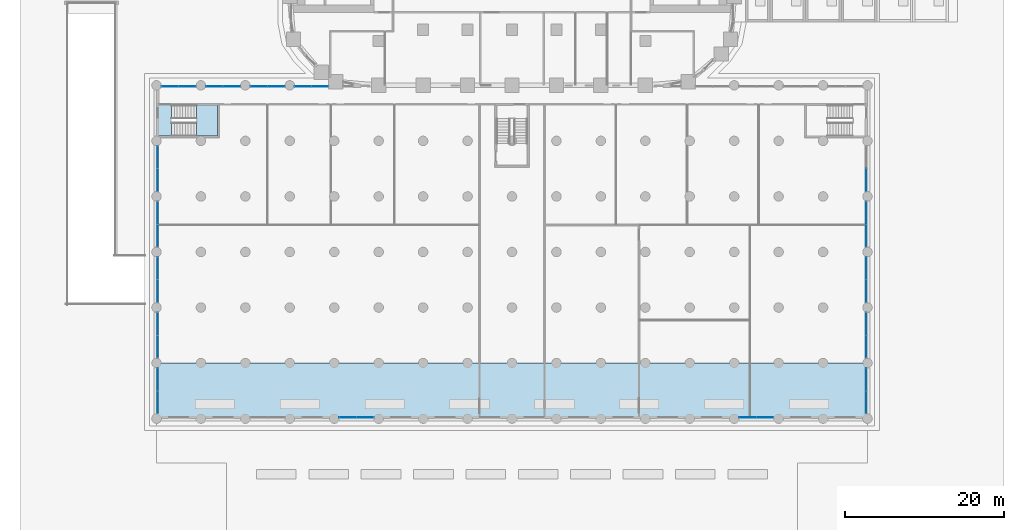
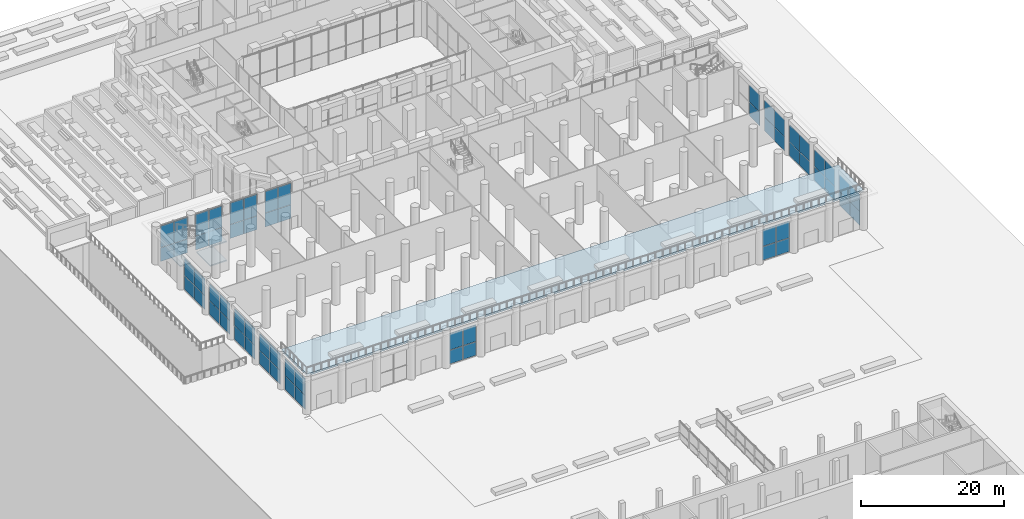
# One storey, part 22 of 51: 62 plates, 4 slabs, 17 elements without a shape of their own.
"""IFC4 building model written with IfcOpenShell, lengths in metres."""

import ifcopenshell
import ifcopenshell.guid

model = None  # the IFC model being written
_history = None  # IfcOwnerHistory: only IFC2X3 demands one
_inside = {}  # id of a spatial element -> (the spatial element, [elements in it])
_under = {}  # id of a project, library or spatial element -> (it, [spatial elements below it])
_declared = {}  # id of a project -> (the project, [libraries it declares])
_typed = {}  # id of a type object -> (the type object, [elements of that type])
_made_of = {}  # id of a material, layer set ... -> (it, [elements and type objects made of it])


def new_model(schema):
    """Start an empty IFC model of exactly this schema.

    Asked for "IFC4X3", IfcOpenShell would pick the latest addendum, in which some entities
    have other attributes; the version numbers below select the first issue.
    IFC2X3 requires an IfcOwnerHistory on every rooted entity: one is made here for all.
    """
    global model, _history
    if schema == "IFC4X3":
        model = ifcopenshell.file(schema_version=(4, 3, 0, 0))
    else:
        model = ifcopenshell.file(schema=schema)
    _inside.clear()
    _under.clear()
    _declared.clear()
    _typed.clear()
    _made_of.clear()
    _history = None
    if model.schema == "IFC2X3":
        org = make("IfcOrganization", Name="unknown")
        user = make(
            "IfcPersonAndOrganization",
            ThePerson=make("IfcPerson", FamilyName="unknown"),
            TheOrganization=org,
        )
        app = make(
            "IfcApplication",
            ApplicationDeveloper=org,
            Version="unknown",
            ApplicationFullName="unknown",
            ApplicationIdentifier="unknown",
        )
        _history = make(
            "IfcOwnerHistory",
            OwningUser=user,
            OwningApplication=app,
            ChangeAction="ADDED",
            CreationDate=0,
        )
    return model


def make(cls, **values):
    """One entity of the class cls with the attributes given. An attribute that is None is left unset."""
    return model.create_entity(
        cls, **{name: value for name, value in values.items() if value is not None}
    )


def rooted(cls, **values):
    """An entity with a GlobalId (a new one), such as an element, a storey or a relation."""
    return make(cls, GlobalId=ifcopenshell.guid.new(), OwnerHistory=_history, **values)


def si_unit(unit_type, name, prefix=None):
    """IfcSIUnit, for example si_unit("LENGTHUNIT", "METRE", prefix="MILLI")."""
    return make("IfcSIUnit", UnitType=unit_type, Prefix=prefix, Name=name)


def assignment(units):
    """IfcUnitAssignment: the units of a project."""
    return None if units is None else make("IfcUnitAssignment", Units=units)


def point(xyz):
    """IfcCartesianPoint."""
    return None if xyz is None else make("IfcCartesianPoint", Coordinates=xyz)


def direction(xyz):
    """IfcDirection."""
    return None if xyz is None else make("IfcDirection", DirectionRatios=xyz)


def frame(location, z_axis=None, x_axis=None):
    """IfcAxis2Placement3D, a coordinate frame: its origin and axes. An axis left out is left unset."""
    return make(
        "IfcAxis2Placement3D",
        Location=point(location),
        Axis=direction(z_axis),
        RefDirection=direction(x_axis),
    )


def frame_2d(location, x_axis=None):
    """IfcAxis2Placement2D, a coordinate frame in the plane: its origin and x axis."""
    return make(
        "IfcAxis2Placement2D", Location=point(location), RefDirection=direction(x_axis)
    )


def origin():
    """The frame at (0, 0, 0) with its axes left unset."""
    return frame((0.0, 0.0, 0.0))


def origin_2d():
    """The frame at (0, 0) in the plane with its x axis left unset."""
    return frame_2d((0.0, 0.0))


def place(relative_to, where):
    """IfcLocalPlacement: puts the frame where relative to a parent placement (None: the world)."""
    return make(
        "IfcLocalPlacement", PlacementRelTo=relative_to, RelativePlacement=where
    )


def context(
    kind, dimensions, precision=None, world=None, true_north=None, identifier=None
):
    """IfcGeometricRepresentationContext, for example the 3D "Model" context."""
    return make(
        "IfcGeometricRepresentationContext",
        ContextIdentifier=identifier,
        ContextType=kind,
        CoordinateSpaceDimension=dimensions,
        Precision=precision,
        WorldCoordinateSystem=world,
        TrueNorth=true_north,
    )


def subcontext(parent, identifier, kind, view, scale=None):
    """IfcGeometricRepresentationSubContext, for example "Body" below "Model"."""
    return make(
        "IfcGeometricRepresentationSubContext",
        ContextIdentifier=identifier,
        ContextType=kind,
        ParentContext=parent,
        TargetScale=scale,
        TargetView=view,
    )


def project(units=None, contexts=None):
    """IfcProject with its units and contexts."""
    return rooted(
        "IfcProject",
        Name="project",
        RepresentationContexts=contexts,
        UnitsInContext=assignment(units),
    )


def spatial(cls, under=None, at=None, **own):
    """A site, building, storey or space (cls), placed at a placement, below another one or the project."""
    s = rooted(cls, ObjectPlacement=at, **own)
    if under is not None:
        _under.setdefault(under.id(), (under, []))[1].append(s)
    return s


def polyline(points):
    """IfcPolyline through the points."""
    return make("IfcPolyline", Points=[point(p) for p in points])


def profile(cls, at=None, kind="AREA", **sizes):
    """A parametric profile (cls). Its sizes go by their IFC names, for example OverallWidth=200.0."""
    return make(cls, ProfileType=kind, Position=at, **sizes)


def rectangle(**sizes):
    """IfcRectangleProfileDef."""
    return profile("IfcRectangleProfileDef", **sizes)


def outline(outer, holes=None, kind="AREA"):
    """IfcArbitraryClosedProfileDef: a profile drawn as a closed curve; with holes, ...WithVoids."""
    if holes is None:
        return make("IfcArbitraryClosedProfileDef", ProfileType=kind, OuterCurve=outer)
    return make(
        "IfcArbitraryProfileDefWithVoids",
        ProfileType=kind,
        OuterCurve=outer,
        InnerCurves=holes,
    )


def extrude(swept, where, along, depth):
    """IfcExtrudedAreaSolid: the profile swept, set in the frame where, extruded along a direction by depth."""
    return make(
        "IfcExtrudedAreaSolid",
        SweptArea=swept,
        Position=where,
        ExtrudedDirection=direction(along),
        Depth=depth,
    )


def shape(context_of_items, identifier, shape_type, items):
    """IfcShapeRepresentation: the items that make up one representation, for example the "Body"."""
    return make(
        "IfcShapeRepresentation",
        ContextOfItems=context_of_items,
        RepresentationIdentifier=identifier,
        RepresentationType=shape_type,
        Items=items,
    )


def material(Name=None, Category=None):
    """IfcMaterial."""
    return make("IfcMaterial", Name=Name, Category=Category)


def layer(
    of_material, thickness, ventilated=None, Name=None, Category=None, Priority=None
):
    """IfcMaterialLayer: one layer of a wall or slab, of a material (None: an air gap)."""
    return make(
        "IfcMaterialLayer",
        Material=of_material,
        LayerThickness=thickness,
        IsVentilated=ventilated,
        Name=Name,
        Category=Category,
        Priority=Priority,
    )


def layer_set(layers, Name=None):
    """IfcMaterialLayerSet."""
    return make("IfcMaterialLayerSet", MaterialLayers=layers, LayerSetName=Name)


def made_of(thing, what):
    """Note that an element or type object is made of a material, layer set ...; save() writes the relation."""
    if what is not None:
        _made_of.setdefault(what.id(), (what, []))[1].append(thing)
    return thing


def type_object(cls, material=None, **own):
    """A type object (cls), such as IfcWallType, which elements share."""
    return made_of(rooted(cls, **own), material)


def element(
    cls,
    number,
    at=None,
    inside=None,
    cuts=None,
    type_object=None,
    material=None,
    context=None,
    identifier="Body",
    shape_type=None,
    held_by="IfcProductDefinitionShape",
    body=None,
    shapes=None,
    **own,
):
    """One element of the class cls, such as IfcWall. Its Tag is "e" and its number.

    at: its placement. inside: the storey or other place that contains it. cuts: it is an
    opening in that element (IfcRelVoidsElement). A single representation is given by context,
    identifier, shape_type and body (its items); several are given by shapes. held_by: the class
    of the entity that holds the representations. save() writes the other relations.
    """
    e = rooted(cls, Tag="e%d" % number, ObjectPlacement=at, **own)
    if body is not None:
        shapes = [shape(context, identifier, shape_type, body)]
    if shapes is not None:
        e.Representation = make(held_by, Representations=shapes)
    if inside is not None:
        _inside.setdefault(inside.id(), (inside, []))[1].append(e)
    if cuts is not None:
        rooted(
            "IfcRelVoidsElement", RelatingBuildingElement=cuts, RelatedOpeningElement=e
        )
    if type_object is not None:
        _typed.setdefault(type_object.id(), (type_object, []))[1].append(e)
    return made_of(e, material)


def aggregate(whole, parts):
    """IfcRelAggregates: a whole, such as a stair, and the parts it consists of."""
    return rooted("IfcRelAggregates", RelatingObject=whole, RelatedObjects=parts)


def save(model, path):
    """Write the relations noted so far, then the file.

    IfcRelAggregates (storeys below a building ...), IfcRelContainedInSpatialStructure (elements
    in a storey), IfcRelDefinesByType, IfcRelAssociatesMaterial and IfcRelDeclares: one each for
    every whole, place, type object, material and project.
    """
    for whole, parts in _under.values():
        aggregate(whole, parts)
    for where, things in _inside.values():
        rooted(
            "IfcRelContainedInSpatialStructure",
            RelatedElements=things,
            RelatingStructure=where,
        )
    for kind, things in _typed.values():
        rooted("IfcRelDefinesByType", RelatedObjects=things, RelatingType=kind)
    for what, things in _made_of.values():
        rooted("IfcRelAssociatesMaterial", RelatedObjects=things, RelatingMaterial=what)
    for by, libraries in _declared.values():
        rooted("IfcRelDeclares", RelatingContext=by, RelatedDefinitions=libraries)
    model.write(path)


model = new_model("IFC4")

# Units and contexts
model_context = context("Model", 3, precision=1e-05, world=origin(), true_north=direction((0.0, 1.0)))
body_context = subcontext(model_context, "Body", "Model", "MODEL_VIEW")
ifc_project = project(units=[si_unit("LENGTHUNIT", "METRE"), si_unit("AREAUNIT", "SQUARE_METRE"), si_unit("VOLUMEUNIT", "CUBIC_METRE"), si_unit("PLANEANGLEUNIT", "RADIAN"), si_unit("MASSUNIT", "GRAM", prefix="KILO")], contexts=[model_context])

# Site, building, storey
site_placement = place(None, origin())
site = spatial("IfcSite", under=ifc_project, at=site_placement, CompositionType="ELEMENT")
building_placement = place(site_placement, origin())
building = spatial("IfcBuilding", under=site, at=building_placement, Name="Kiln Ring Residences", CompositionType="ELEMENT")
storey_placement = place(building_placement, origin())
storey = spatial("IfcBuildingStorey", under=building, at=storey_placement, Name="L00", CompositionType="ELEMENT", Elevation=0.0)

# Curtain wall, plates
ifc_material_1 = material(Name="Aluminium and glass", Category="aluminium")
ifc_layer_1 = layer(ifc_material_1, 0.179931640625)
ifc_layer_set_1 = layer_set([ifc_layer_1], Name="CW2 CURTAIN WALL")
curtain_wall_type = type_object("IfcCurtainWallType", Name="CW2 CURTAIN WALL", PredefinedType="NOTDEFINED", material=ifc_layer_set_1)
placement = place(storey_placement, origin())
curtain_wall_1 = element("IfcCurtainWall", 1, at=placement, inside=storey, type_object=curtain_wall_type, Name="Curtain wall CW2 L00", PredefinedType="NOTDEFINED")
ifc_material_2 = material(Name="Glass, clear toughened", Category="glass")
ifc_layer_2 = layer(ifc_material_2, 0.02392578125)
ifc_layer_set_2 = layer_set([ifc_layer_2], Name="CW2 PANEL 24")
plate_type = type_object("IfcPlateType", Name="CW2 PANEL 24", PredefinedType="CURTAIN_PANEL", material=ifc_layer_set_2)
plate_1_placement = place(storey_placement, frame((44.64990234375, -62.33740234375, 0.0498046875), z_axis=(0.0, 0.0, 1.0), x_axis=(0.0, 1.0, 0.0)))
plate_1 = element("IfcPlate", 2, at=plate_1_placement, type_object=plate_type, Name="CW2 panel 1.1", PredefinedType="CURTAIN_PANEL", context=body_context, shape_type="SweptSolid", body=[
    extrude(rectangle(XDim=2.824951171875, YDim=0.02392578125, at=origin_2d()), origin(), (0.0, 0.0, 1.0), 2.324951171875),
])
plate_2_placement = place(storey_placement, frame((44.64990234375, -62.33740234375, 2.425048828125), z_axis=(0.0, 0.0, 1.0), x_axis=(0.0, 1.0, 0.0)))
plate_2 = element("IfcPlate", 3, at=plate_2_placement, type_object=plate_type, Name="CW2 panel 1.2", PredefinedType="CURTAIN_PANEL", context=body_context, shape_type="SweptSolid", body=[
    extrude(rectangle(XDim=2.824951171875, YDim=0.02392578125, at=origin_2d()), origin(), (0.0, 0.0, 1.0), 2.875),
])
plate_3_placement = place(storey_placement, frame((44.64990234375, -59.46240234375, 0.0498046875), z_axis=(0.0, 0.0, 1.0), x_axis=(0.0, 1.0, 0.0)))
plate_3 = element("IfcPlate", 4, at=plate_3_placement, type_object=plate_type, Name="CW2 panel 2.1", PredefinedType="CURTAIN_PANEL", context=body_context, shape_type="SweptSolid", body=[
    extrude(rectangle(XDim=2.824951171875, YDim=0.02392578125, at=origin_2d()), origin(), (0.0, 0.0, 1.0), 2.324951171875),
])
plate_4_placement = place(storey_placement, frame((44.64990234375, -59.46240234375, 2.425048828125), z_axis=(0.0, 0.0, 1.0), x_axis=(0.0, 1.0, 0.0)))
plate_4 = element("IfcPlate", 5, at=plate_4_placement, type_object=plate_type, Name="CW2 panel 2.2", PredefinedType="CURTAIN_PANEL", context=body_context, shape_type="SweptSolid", body=[
    extrude(rectangle(XDim=2.824951171875, YDim=0.02392578125, at=origin_2d()), origin(), (0.0, 0.0, 1.0), 2.875),
])
aggregate(curtain_wall_1, [plate_1, plate_2, plate_3, plate_4])

curtain_wall_2 = element("IfcCurtainWall", 6, at=placement, inside=storey, type_object=curtain_wall_type, Name="Curtain wall CW2 L00", PredefinedType="NOTDEFINED")
plate_5_placement = place(storey_placement, frame((44.64990234375, -55.33740234375, 0.0498046875), z_axis=(0.0, 0.0, 1.0), x_axis=(0.0, 1.0, 0.0)))
plate_5 = element("IfcPlate", 7, at=plate_5_placement, type_object=plate_type, Name="CW2 panel 1.1", PredefinedType="CURTAIN_PANEL", context=body_context, shape_type="SweptSolid", body=[
    extrude(rectangle(XDim=2.824951171875, YDim=0.02392578125, at=origin_2d()), origin(), (0.0, 0.0, 1.0), 2.324951171875),
])
plate_6_placement = place(storey_placement, frame((44.64990234375, -55.33740234375, 2.425048828125), z_axis=(0.0, 0.0, 1.0), x_axis=(0.0, 1.0, 0.0)))
plate_6 = element("IfcPlate", 8, at=plate_6_placement, type_object=plate_type, Name="CW2 panel 1.2", PredefinedType="CURTAIN_PANEL", context=body_context, shape_type="SweptSolid", body=[
    extrude(rectangle(XDim=2.824951171875, YDim=0.02392578125, at=origin_2d()), origin(), (0.0, 0.0, 1.0), 2.875),
])
plate_7_placement = place(storey_placement, frame((44.64990234375, -52.46240234375, 0.0498046875), z_axis=(0.0, 0.0, 1.0), x_axis=(0.0, 1.0, 0.0)))
plate_7 = element("IfcPlate", 9, at=plate_7_placement, type_object=plate_type, Name="CW2 panel 2.1", PredefinedType="CURTAIN_PANEL", context=body_context, shape_type="SweptSolid", body=[
    extrude(rectangle(XDim=2.824951171875, YDim=0.02392578125, at=origin_2d()), origin(), (0.0, 0.0, 1.0), 2.324951171875),
])
plate_8_placement = place(storey_placement, frame((44.64990234375, -52.46240234375, 2.425048828125), z_axis=(0.0, 0.0, 1.0), x_axis=(0.0, 1.0, 0.0)))
plate_8 = element("IfcPlate", 10, at=plate_8_placement, type_object=plate_type, Name="CW2 panel 2.2", PredefinedType="CURTAIN_PANEL", context=body_context, shape_type="SweptSolid", body=[
    extrude(rectangle(XDim=2.824951171875, YDim=0.02392578125, at=origin_2d()), origin(), (0.0, 0.0, 1.0), 2.875),
])
aggregate(curtain_wall_2, [plate_5, plate_6, plate_7, plate_8])

curtain_wall_3 = element("IfcCurtainWall", 11, at=placement, inside=storey, type_object=curtain_wall_type, Name="Curtain wall CW2 L00", PredefinedType="NOTDEFINED")
plate_9_placement = place(storey_placement, frame((44.64990234375, -48.33740234375, 0.0498046875), z_axis=(0.0, 0.0, 1.0), x_axis=(0.0, 1.0, 0.0)))
plate_9 = element("IfcPlate", 12, at=plate_9_placement, type_object=plate_type, Name="CW2 panel 1.1", PredefinedType="CURTAIN_PANEL", context=body_context, shape_type="SweptSolid", body=[
    extrude(rectangle(XDim=2.824951171875, YDim=0.02392578125, at=origin_2d()), origin(), (0.0, 0.0, 1.0), 2.324951171875),
])
plate_10_placement = place(storey_placement, frame((44.64990234375, -48.33740234375, 2.425048828125), z_axis=(0.0, 0.0, 1.0), x_axis=(0.0, 1.0, 0.0)))
plate_10 = element("IfcPlate", 13, at=plate_10_placement, type_object=plate_type, Name="CW2 panel 1.2", PredefinedType="CURTAIN_PANEL", context=body_context, shape_type="SweptSolid", body=[
    extrude(rectangle(XDim=2.824951171875, YDim=0.02392578125, at=origin_2d()), origin(), (0.0, 0.0, 1.0), 2.875),
])
plate_11_placement = place(storey_placement, frame((44.64990234375, -45.46240234375, 0.0498046875), z_axis=(0.0, 0.0, 1.0), x_axis=(0.0, 1.0, 0.0)))
plate_11 = element("IfcPlate", 14, at=plate_11_placement, type_object=plate_type, Name="CW2 panel 2.1", PredefinedType="CURTAIN_PANEL", context=body_context, shape_type="SweptSolid", body=[
    extrude(rectangle(XDim=2.824951171875, YDim=0.02392578125, at=origin_2d()), origin(), (0.0, 0.0, 1.0), 2.324951171875),
])
plate_12_placement = place(storey_placement, frame((44.64990234375, -45.46240234375, 2.425048828125), z_axis=(0.0, 0.0, 1.0), x_axis=(0.0, 1.0, 0.0)))
plate_12 = element("IfcPlate", 15, at=plate_12_placement, type_object=plate_type, Name="CW2 panel 2.2", PredefinedType="CURTAIN_PANEL", context=body_context, shape_type="SweptSolid", body=[
    extrude(rectangle(XDim=2.824951171875, YDim=0.02392578125, at=origin_2d()), origin(), (0.0, 0.0, 1.0), 2.875),
])
aggregate(curtain_wall_3, [plate_9, plate_10, plate_11, plate_12])

curtain_wall_4 = element("IfcCurtainWall", 16, at=placement, inside=storey, type_object=curtain_wall_type, Name="Curtain wall CW2 L00", PredefinedType="NOTDEFINED")
plate_13_placement = place(storey_placement, frame((44.64990234375, -41.33740234375, 0.0498046875), z_axis=(0.0, 0.0, 1.0), x_axis=(0.0, 1.0, 0.0)))
plate_13 = element("IfcPlate", 17, at=plate_13_placement, type_object=plate_type, Name="CW2 panel 1.1", PredefinedType="CURTAIN_PANEL", context=body_context, shape_type="SweptSolid", body=[
    extrude(rectangle(XDim=2.824951171875, YDim=0.02392578125, at=origin_2d()), origin(), (0.0, 0.0, 1.0), 2.324951171875),
])
plate_14_placement = place(storey_placement, frame((44.64990234375, -41.33740234375, 2.425048828125), z_axis=(0.0, 0.0, 1.0), x_axis=(0.0, 1.0, 0.0)))
plate_14 = element("IfcPlate", 18, at=plate_14_placement, type_object=plate_type, Name="CW2 panel 1.2", PredefinedType="CURTAIN_PANEL", context=body_context, shape_type="SweptSolid", body=[
    extrude(rectangle(XDim=2.824951171875, YDim=0.02392578125, at=origin_2d()), origin(), (0.0, 0.0, 1.0), 2.875),
])
plate_15_placement = place(storey_placement, frame((44.64990234375, -38.46240234375, 0.0498046875), z_axis=(0.0, 0.0, 1.0), x_axis=(0.0, 1.0, 0.0)))
plate_15 = element("IfcPlate", 19, at=plate_15_placement, type_object=plate_type, Name="CW2 panel 2.1", PredefinedType="CURTAIN_PANEL", context=body_context, shape_type="SweptSolid", body=[
    extrude(rectangle(XDim=2.824951171875, YDim=0.02392578125, at=origin_2d()), origin(), (0.0, 0.0, 1.0), 2.324951171875),
])
plate_16_placement = place(storey_placement, frame((44.64990234375, -38.46240234375, 2.425048828125), z_axis=(0.0, 0.0, 1.0), x_axis=(0.0, 1.0, 0.0)))
plate_16 = element("IfcPlate", 20, at=plate_16_placement, type_object=plate_type, Name="CW2 panel 2.2", PredefinedType="CURTAIN_PANEL", context=body_context, shape_type="SweptSolid", body=[
    extrude(rectangle(XDim=2.824951171875, YDim=0.02392578125, at=origin_2d()), origin(), (0.0, 0.0, 1.0), 2.875),
])
aggregate(curtain_wall_4, [plate_13, plate_14, plate_15, plate_16])

curtain_wall_5 = element("IfcCurtainWall", 21, at=placement, inside=storey, type_object=curtain_wall_type, Name="Curtain wall CW2 L00", PredefinedType="NOTDEFINED")
plate_17_placement = place(storey_placement, frame((44.64990234375, -34.33740234375, 0.0498046875), z_axis=(0.0, 0.0, 1.0), x_axis=(0.0, 1.0, 0.0)))
plate_17 = element("IfcPlate", 22, at=plate_17_placement, type_object=plate_type, Name="CW2 panel 1.1", PredefinedType="CURTAIN_PANEL", context=body_context, shape_type="SweptSolid", body=[
    extrude(rectangle(XDim=2.824951171875, YDim=0.02392578125, at=origin_2d()), origin(), (0.0, 0.0, 1.0), 2.324951171875),
])
plate_18_placement = place(storey_placement, frame((44.64990234375, -34.33740234375, 2.425048828125), z_axis=(0.0, 0.0, 1.0), x_axis=(0.0, 1.0, 0.0)))
plate_18 = element("IfcPlate", 23, at=plate_18_placement, type_object=plate_type, Name="CW2 panel 1.2", PredefinedType="CURTAIN_PANEL", context=body_context, shape_type="SweptSolid", body=[
    extrude(rectangle(XDim=2.824951171875, YDim=0.02392578125, at=origin_2d()), origin(), (0.0, 0.0, 1.0), 2.875),
])
aggregate(curtain_wall_5, [plate_17, plate_18])

curtain_wall_6 = element("IfcCurtainWall", 24, at=placement, inside=storey, type_object=curtain_wall_type, Name="Curtain wall CW2 L00", PredefinedType="NOTDEFINED")
plate_19_placement = place(storey_placement, frame((-24.194091796875, -22.550048828125, 0.0498046875), z_axis=(0.0, 0.0, 1.0), x_axis=(-1.0, 0.0, 0.0)))
plate_19 = element("IfcPlate", 25, at=plate_19_placement, type_object=plate_type, Name="CW2 panel 1.1", PredefinedType="CURTAIN_PANEL", context=body_context, shape_type="SweptSolid", body=[
    extrude(rectangle(XDim=2.070556640625, YDim=0.02392578125, at=origin_2d()), origin(), (0.0, 0.0, 1.0), 2.324951171875),
])
plate_20_placement = place(storey_placement, frame((-24.194091796875, -22.550048828125, 2.4248046875), z_axis=(0.0, 0.0, 1.0), x_axis=(-1.0, 0.0, 0.0)))
plate_20 = element("IfcPlate", 26, at=plate_20_placement, type_object=plate_type, Name="CW2 panel 1.2", PredefinedType="CURTAIN_PANEL", context=body_context, shape_type="SweptSolid", body=[
    extrude(rectangle(XDim=2.070556640625, YDim=0.02392578125, at=origin_2d()), origin(), (0.0, 0.0, 1.0), 3.675048828125),
])
plate_21_placement = place(storey_placement, frame((-26.314697265625, -22.550048828125, 0.0498046875), z_axis=(0.0, 0.0, 1.0), x_axis=(-1.0, 0.0, 0.0)))
plate_21 = element("IfcPlate", 27, at=plate_21_placement, type_object=plate_type, Name="CW2 panel 2.1", PredefinedType="CURTAIN_PANEL", context=body_context, shape_type="SweptSolid", body=[
    extrude(rectangle(XDim=2.070556640625, YDim=0.02392578125, at=origin_2d()), origin(), (0.0, 0.0, 1.0), 2.324951171875),
])
plate_22_placement = place(storey_placement, frame((-26.314697265625, -22.550048828125, 2.4248046875), z_axis=(0.0, 0.0, 1.0), x_axis=(-1.0, 0.0, 0.0)))
plate_22 = element("IfcPlate", 28, at=plate_22_placement, type_object=plate_type, Name="CW2 panel 2.2", PredefinedType="CURTAIN_PANEL", context=body_context, shape_type="SweptSolid", body=[
    extrude(rectangle(XDim=2.070556640625, YDim=0.02392578125, at=origin_2d()), origin(), (0.0, 0.0, 1.0), 3.675048828125),
])
aggregate(curtain_wall_6, [plate_19, plate_20, plate_21, plate_22])

curtain_wall_7 = element("IfcCurtainWall", 29, at=placement, inside=storey, type_object=curtain_wall_type, Name="Curtain wall CW2 L00", PredefinedType="NOTDEFINED")
plate_23_placement = place(storey_placement, frame((-29.71240234375, -22.550048828125, 0.0498046875), z_axis=(0.0, 0.0, 1.0), x_axis=(-1.0, 0.0, 0.0)))
plate_23 = element("IfcPlate", 30, at=plate_23_placement, type_object=plate_type, Name="CW2 panel 1.1", PredefinedType="CURTAIN_PANEL", context=body_context, shape_type="SweptSolid", body=[
    extrude(rectangle(XDim=2.125, YDim=0.02392578125, at=origin_2d()), origin(), (0.0, 0.0, 1.0), 2.324951171875),
])
plate_24_placement = place(storey_placement, frame((-29.71240234375, -22.550048828125, 2.4248046875), z_axis=(0.0, 0.0, 1.0), x_axis=(-1.0, 0.0, 0.0)))
plate_24 = element("IfcPlate", 31, at=plate_24_placement, type_object=plate_type, Name="CW2 panel 1.2", PredefinedType="CURTAIN_PANEL", context=body_context, shape_type="SweptSolid", body=[
    extrude(rectangle(XDim=2.125, YDim=0.02392578125, at=origin_2d()), origin(), (0.0, 0.0, 1.0), 3.675048828125),
])
plate_25_placement = place(storey_placement, frame((-31.887451171875, -22.550048828125, 0.0498046875), z_axis=(0.0, 0.0, 1.0), x_axis=(-1.0, 0.0, 0.0)))
plate_25 = element("IfcPlate", 32, at=plate_25_placement, type_object=plate_type, Name="CW2 panel 2.1", PredefinedType="CURTAIN_PANEL", context=body_context, shape_type="SweptSolid", body=[
    extrude(rectangle(XDim=2.125, YDim=0.02392578125, at=origin_2d()), origin(), (0.0, 0.0, 1.0), 2.324951171875),
])
plate_26_placement = place(storey_placement, frame((-31.887451171875, -22.550048828125, 2.4248046875), z_axis=(0.0, 0.0, 1.0), x_axis=(-1.0, 0.0, 0.0)))
plate_26 = element("IfcPlate", 33, at=plate_26_placement, type_object=plate_type, Name="CW2 panel 2.2", PredefinedType="CURTAIN_PANEL", context=body_context, shape_type="SweptSolid", body=[
    extrude(rectangle(XDim=2.125, YDim=0.02392578125, at=origin_2d()), origin(), (0.0, 0.0, 1.0), 3.675048828125),
])
aggregate(curtain_wall_7, [plate_23, plate_24, plate_25, plate_26])

curtain_wall_8 = element("IfcCurtainWall", 34, at=placement, inside=storey, type_object=curtain_wall_type, Name="Curtain wall CW2 L00", PredefinedType="NOTDEFINED")
plate_27_placement = place(storey_placement, frame((-35.3125, -22.550048828125, 0.0498046875), z_axis=(0.0, 0.0, 1.0), x_axis=(-1.0, 0.0, 0.0)))
plate_27 = element("IfcPlate", 35, at=plate_27_placement, type_object=plate_type, Name="CW2 panel 1.1", PredefinedType="CURTAIN_PANEL", context=body_context, shape_type="SweptSolid", body=[
    extrude(rectangle(XDim=2.125, YDim=0.02392578125, at=origin_2d()), origin(), (0.0, 0.0, 1.0), 2.324951171875),
])
plate_28_placement = place(storey_placement, frame((-35.3125, -22.550048828125, 2.4248046875), z_axis=(0.0, 0.0, 1.0), x_axis=(-1.0, 0.0, 0.0)))
plate_28 = element("IfcPlate", 36, at=plate_28_placement, type_object=plate_type, Name="CW2 panel 1.2", PredefinedType="CURTAIN_PANEL", context=body_context, shape_type="SweptSolid", body=[
    extrude(rectangle(XDim=2.125, YDim=0.02392578125, at=origin_2d()), origin(), (0.0, 0.0, 1.0), 3.675048828125),
])
plate_29_placement = place(storey_placement, frame((-37.487548828125, -22.550048828125, 0.0498046875), z_axis=(0.0, 0.0, 1.0), x_axis=(-1.0, 0.0, 0.0)))
plate_29 = element("IfcPlate", 37, at=plate_29_placement, type_object=plate_type, Name="CW2 panel 2.1", PredefinedType="CURTAIN_PANEL", context=body_context, shape_type="SweptSolid", body=[
    extrude(rectangle(XDim=2.125, YDim=0.02392578125, at=origin_2d()), origin(), (0.0, 0.0, 1.0), 2.324951171875),
])
plate_30_placement = place(storey_placement, frame((-37.487548828125, -22.550048828125, 2.4248046875), z_axis=(0.0, 0.0, 1.0), x_axis=(-1.0, 0.0, 0.0)))
plate_30 = element("IfcPlate", 38, at=plate_30_placement, type_object=plate_type, Name="CW2 panel 2.2", PredefinedType="CURTAIN_PANEL", context=body_context, shape_type="SweptSolid", body=[
    extrude(rectangle(XDim=2.125, YDim=0.02392578125, at=origin_2d()), origin(), (0.0, 0.0, 1.0), 3.675048828125),
])
aggregate(curtain_wall_8, [plate_27, plate_28, plate_29, plate_30])

curtain_wall_9 = element("IfcCurtainWall", 39, at=placement, inside=storey, type_object=curtain_wall_type, Name="Curtain wall CW2 L00", PredefinedType="NOTDEFINED")
plate_31_placement = place(storey_placement, frame((-40.91259765625, -22.550048828125, 0.0498046875), z_axis=(0.0, 0.0, 1.0), x_axis=(-1.0, 0.0, 0.0)))
plate_31 = element("IfcPlate", 40, at=plate_31_placement, type_object=plate_type, Name="CW2 panel 1.1", PredefinedType="CURTAIN_PANEL", context=body_context, shape_type="SweptSolid", body=[
    extrude(rectangle(XDim=2.125, YDim=0.02392578125, at=origin_2d()), origin(), (0.0, 0.0, 1.0), 2.324951171875),
])
plate_32_placement = place(storey_placement, frame((-40.91259765625, -22.550048828125, 2.4248046875), z_axis=(0.0, 0.0, 1.0), x_axis=(-1.0, 0.0, 0.0)))
plate_32 = element("IfcPlate", 41, at=plate_32_placement, type_object=plate_type, Name="CW2 panel 1.2", PredefinedType="CURTAIN_PANEL", context=body_context, shape_type="SweptSolid", body=[
    extrude(rectangle(XDim=2.125, YDim=0.02392578125, at=origin_2d()), origin(), (0.0, 0.0, 1.0), 3.675048828125),
])
plate_33_placement = place(storey_placement, frame((-43.08740234375, -22.550048828125, 0.0498046875), z_axis=(0.0, 0.0, 1.0), x_axis=(-1.0, 0.0, 0.0)))
plate_33 = element("IfcPlate", 42, at=plate_33_placement, type_object=plate_type, Name="CW2 panel 2.1", PredefinedType="CURTAIN_PANEL", context=body_context, shape_type="SweptSolid", body=[
    extrude(rectangle(XDim=2.125, YDim=0.02392578125, at=origin_2d()), origin(), (0.0, 0.0, 1.0), 2.324951171875),
])
plate_34_placement = place(storey_placement, frame((-43.08740234375, -22.550048828125, 2.4248046875), z_axis=(0.0, 0.0, 1.0), x_axis=(-1.0, 0.0, 0.0)))
plate_34 = element("IfcPlate", 43, at=plate_34_placement, type_object=plate_type, Name="CW2 panel 2.2", PredefinedType="CURTAIN_PANEL", context=body_context, shape_type="SweptSolid", body=[
    extrude(rectangle(XDim=2.125, YDim=0.02392578125, at=origin_2d()), origin(), (0.0, 0.0, 1.0), 3.675048828125),
])
aggregate(curtain_wall_9, [plate_31, plate_32, plate_33, plate_34])

curtain_wall_10 = element("IfcCurtainWall", 44, at=placement, inside=storey, type_object=curtain_wall_type, Name="Curtain wall CW2 L00", PredefinedType="NOTDEFINED")
plate_35_placement = place(storey_placement, frame((-44.64990234375, -31.46240234375, 0.0498046875), z_axis=(0.0, 0.0, 1.0), x_axis=(0.0, -1.0, 0.0)))
plate_35 = element("IfcPlate", 45, at=plate_35_placement, type_object=plate_type, Name="CW2 panel 1.1", PredefinedType="CURTAIN_PANEL", context=body_context, shape_type="SweptSolid", body=[
    extrude(rectangle(XDim=2.824951171875, YDim=0.02392578125, at=origin_2d()), origin(), (0.0, 0.0, 1.0), 2.324951171875),
])
plate_36_placement = place(storey_placement, frame((-44.64990234375, -31.46240234375, 2.425048828125), z_axis=(0.0, 0.0, 1.0), x_axis=(0.0, -1.0, 0.0)))
plate_36 = element("IfcPlate", 46, at=plate_36_placement, type_object=plate_type, Name="CW2 panel 1.2", PredefinedType="CURTAIN_PANEL", context=body_context, shape_type="SweptSolid", body=[
    extrude(rectangle(XDim=2.824951171875, YDim=0.02392578125, at=origin_2d()), origin(), (0.0, 0.0, 1.0), 2.875),
])
plate_37_placement = place(storey_placement, frame((-44.64990234375, -34.33740234375, 0.0498046875), z_axis=(0.0, 0.0, 1.0), x_axis=(0.0, -1.0, 0.0)))
plate_37 = element("IfcPlate", 47, at=plate_37_placement, type_object=plate_type, Name="CW2 panel 2.1", PredefinedType="CURTAIN_PANEL", context=body_context, shape_type="SweptSolid", body=[
    extrude(rectangle(XDim=2.824951171875, YDim=0.02392578125, at=origin_2d()), origin(), (0.0, 0.0, 1.0), 2.324951171875),
])
plate_38_placement = place(storey_placement, frame((-44.64990234375, -34.33740234375, 2.425048828125), z_axis=(0.0, 0.0, 1.0), x_axis=(0.0, -1.0, 0.0)))
plate_38 = element("IfcPlate", 48, at=plate_38_placement, type_object=plate_type, Name="CW2 panel 2.2", PredefinedType="CURTAIN_PANEL", context=body_context, shape_type="SweptSolid", body=[
    extrude(rectangle(XDim=2.824951171875, YDim=0.02392578125, at=origin_2d()), origin(), (0.0, 0.0, 1.0), 2.875),
])
aggregate(curtain_wall_10, [plate_35, plate_36, plate_37, plate_38])

curtain_wall_11 = element("IfcCurtainWall", 49, at=placement, inside=storey, type_object=curtain_wall_type, Name="Curtain wall CW2 L00", PredefinedType="NOTDEFINED")
plate_39_placement = place(storey_placement, frame((-44.64990234375, -38.46240234375, 0.0498046875), z_axis=(0.0, 0.0, 1.0), x_axis=(0.0, -1.0, 0.0)))
plate_39 = element("IfcPlate", 50, at=plate_39_placement, type_object=plate_type, Name="CW2 panel 1.1", PredefinedType="CURTAIN_PANEL", context=body_context, shape_type="SweptSolid", body=[
    extrude(rectangle(XDim=2.824951171875, YDim=0.02392578125, at=origin_2d()), origin(), (0.0, 0.0, 1.0), 2.324951171875),
])
plate_40_placement = place(storey_placement, frame((-44.64990234375, -38.46240234375, 2.425048828125), z_axis=(0.0, 0.0, 1.0), x_axis=(0.0, -1.0, 0.0)))
plate_40 = element("IfcPlate", 51, at=plate_40_placement, type_object=plate_type, Name="CW2 panel 1.2", PredefinedType="CURTAIN_PANEL", context=body_context, shape_type="SweptSolid", body=[
    extrude(rectangle(XDim=2.824951171875, YDim=0.02392578125, at=origin_2d()), origin(), (0.0, 0.0, 1.0), 2.875),
])
plate_41_placement = place(storey_placement, frame((-44.64990234375, -41.33740234375, 0.0498046875), z_axis=(0.0, 0.0, 1.0), x_axis=(0.0, -1.0, 0.0)))
plate_41 = element("IfcPlate", 52, at=plate_41_placement, type_object=plate_type, Name="CW2 panel 2.1", PredefinedType="CURTAIN_PANEL", context=body_context, shape_type="SweptSolid", body=[
    extrude(rectangle(XDim=2.824951171875, YDim=0.02392578125, at=origin_2d()), origin(), (0.0, 0.0, 1.0), 2.324951171875),
])
plate_42_placement = place(storey_placement, frame((-44.64990234375, -41.33740234375, 2.425048828125), z_axis=(0.0, 0.0, 1.0), x_axis=(0.0, -1.0, 0.0)))
plate_42 = element("IfcPlate", 53, at=plate_42_placement, type_object=plate_type, Name="CW2 panel 2.2", PredefinedType="CURTAIN_PANEL", context=body_context, shape_type="SweptSolid", body=[
    extrude(rectangle(XDim=2.824951171875, YDim=0.02392578125, at=origin_2d()), origin(), (0.0, 0.0, 1.0), 2.875),
])
aggregate(curtain_wall_11, [plate_39, plate_40, plate_41, plate_42])

curtain_wall_12 = element("IfcCurtainWall", 54, at=placement, inside=storey, type_object=curtain_wall_type, Name="Curtain wall CW2 L00", PredefinedType="NOTDEFINED")
plate_43_placement = place(storey_placement, frame((-44.64990234375, -45.46240234375, 0.0498046875), z_axis=(0.0, 0.0, 1.0), x_axis=(0.0, -1.0, 0.0)))
plate_43 = element("IfcPlate", 55, at=plate_43_placement, type_object=plate_type, Name="CW2 panel 1.1", PredefinedType="CURTAIN_PANEL", context=body_context, shape_type="SweptSolid", body=[
    extrude(rectangle(XDim=2.824951171875, YDim=0.02392578125, at=origin_2d()), origin(), (0.0, 0.0, 1.0), 2.324951171875),
])
plate_44_placement = place(storey_placement, frame((-44.64990234375, -45.46240234375, 2.425048828125), z_axis=(0.0, 0.0, 1.0), x_axis=(0.0, -1.0, 0.0)))
plate_44 = element("IfcPlate", 56, at=plate_44_placement, type_object=plate_type, Name="CW2 panel 1.2", PredefinedType="CURTAIN_PANEL", context=body_context, shape_type="SweptSolid", body=[
    extrude(rectangle(XDim=2.824951171875, YDim=0.02392578125, at=origin_2d()), origin(), (0.0, 0.0, 1.0), 2.875),
])
plate_45_placement = place(storey_placement, frame((-44.64990234375, -48.33740234375, 0.0498046875), z_axis=(0.0, 0.0, 1.0), x_axis=(0.0, -1.0, 0.0)))
plate_45 = element("IfcPlate", 57, at=plate_45_placement, type_object=plate_type, Name="CW2 panel 2.1", PredefinedType="CURTAIN_PANEL", context=body_context, shape_type="SweptSolid", body=[
    extrude(rectangle(XDim=2.824951171875, YDim=0.02392578125, at=origin_2d()), origin(), (0.0, 0.0, 1.0), 2.324951171875),
])
plate_46_placement = place(storey_placement, frame((-44.64990234375, -48.33740234375, 2.425048828125), z_axis=(0.0, 0.0, 1.0), x_axis=(0.0, -1.0, 0.0)))
plate_46 = element("IfcPlate", 58, at=plate_46_placement, type_object=plate_type, Name="CW2 panel 2.2", PredefinedType="CURTAIN_PANEL", context=body_context, shape_type="SweptSolid", body=[
    extrude(rectangle(XDim=2.824951171875, YDim=0.02392578125, at=origin_2d()), origin(), (0.0, 0.0, 1.0), 2.875),
])
aggregate(curtain_wall_12, [plate_43, plate_44, plate_45, plate_46])

curtain_wall_13 = element("IfcCurtainWall", 59, at=placement, inside=storey, type_object=curtain_wall_type, Name="Curtain wall CW2 L00", PredefinedType="NOTDEFINED")
plate_47_placement = place(storey_placement, frame((-44.64990234375, -52.46240234375, 0.0498046875), z_axis=(0.0, 0.0, 1.0), x_axis=(0.0, -1.0, 0.0)))
plate_47 = element("IfcPlate", 60, at=plate_47_placement, type_object=plate_type, Name="CW2 panel 1.1", PredefinedType="CURTAIN_PANEL", context=body_context, shape_type="SweptSolid", body=[
    extrude(rectangle(XDim=2.824951171875, YDim=0.02392578125, at=origin_2d()), origin(), (0.0, 0.0, 1.0), 2.324951171875),
])
plate_48_placement = place(storey_placement, frame((-44.64990234375, -52.46240234375, 2.425048828125), z_axis=(0.0, 0.0, 1.0), x_axis=(0.0, -1.0, 0.0)))
plate_48 = element("IfcPlate", 61, at=plate_48_placement, type_object=plate_type, Name="CW2 panel 1.2", PredefinedType="CURTAIN_PANEL", context=body_context, shape_type="SweptSolid", body=[
    extrude(rectangle(XDim=2.824951171875, YDim=0.02392578125, at=origin_2d()), origin(), (0.0, 0.0, 1.0), 2.875),
])
plate_49_placement = place(storey_placement, frame((-44.64990234375, -55.33740234375, 0.0498046875), z_axis=(0.0, 0.0, 1.0), x_axis=(0.0, -1.0, 0.0)))
plate_49 = element("IfcPlate", 62, at=plate_49_placement, type_object=plate_type, Name="CW2 panel 2.1", PredefinedType="CURTAIN_PANEL", context=body_context, shape_type="SweptSolid", body=[
    extrude(rectangle(XDim=2.824951171875, YDim=0.02392578125, at=origin_2d()), origin(), (0.0, 0.0, 1.0), 2.324951171875),
])
plate_50_placement = place(storey_placement, frame((-44.64990234375, -55.33740234375, 2.425048828125), z_axis=(0.0, 0.0, 1.0), x_axis=(0.0, -1.0, 0.0)))
plate_50 = element("IfcPlate", 63, at=plate_50_placement, type_object=plate_type, Name="CW2 panel 2.2", PredefinedType="CURTAIN_PANEL", context=body_context, shape_type="SweptSolid", body=[
    extrude(rectangle(XDim=2.824951171875, YDim=0.02392578125, at=origin_2d()), origin(), (0.0, 0.0, 1.0), 2.875),
])
aggregate(curtain_wall_13, [plate_47, plate_48, plate_49, plate_50])

curtain_wall_14 = element("IfcCurtainWall", 64, at=placement, inside=storey, type_object=curtain_wall_type, Name="Curtain wall CW2 L00", PredefinedType="NOTDEFINED")
plate_51_placement = place(storey_placement, frame((-44.64990234375, -59.46240234375, 0.0498046875), z_axis=(0.0, 0.0, 1.0), x_axis=(0.0, -1.0, 0.0)))
plate_51 = element("IfcPlate", 65, at=plate_51_placement, type_object=plate_type, Name="CW2 panel 1.1", PredefinedType="CURTAIN_PANEL", context=body_context, shape_type="SweptSolid", body=[
    extrude(rectangle(XDim=2.824951171875, YDim=0.02392578125, at=origin_2d()), origin(), (0.0, 0.0, 1.0), 2.324951171875),
])
plate_52_placement = place(storey_placement, frame((-44.64990234375, -59.46240234375, 2.425048828125), z_axis=(0.0, 0.0, 1.0), x_axis=(0.0, -1.0, 0.0)))
plate_52 = element("IfcPlate", 66, at=plate_52_placement, type_object=plate_type, Name="CW2 panel 1.2", PredefinedType="CURTAIN_PANEL", context=body_context, shape_type="SweptSolid", body=[
    extrude(rectangle(XDim=2.824951171875, YDim=0.02392578125, at=origin_2d()), origin(), (0.0, 0.0, 1.0), 2.875),
])
plate_53_placement = place(storey_placement, frame((-44.64990234375, -62.33740234375, 0.0498046875), z_axis=(0.0, 0.0, 1.0), x_axis=(0.0, -1.0, 0.0)))
plate_53 = element("IfcPlate", 67, at=plate_53_placement, type_object=plate_type, Name="CW2 panel 2.1", PredefinedType="CURTAIN_PANEL", context=body_context, shape_type="SweptSolid", body=[
    extrude(rectangle(XDim=2.824951171875, YDim=0.02392578125, at=origin_2d()), origin(), (0.0, 0.0, 1.0), 2.324951171875),
])
plate_54_placement = place(storey_placement, frame((-44.64990234375, -62.33740234375, 2.425048828125), z_axis=(0.0, 0.0, 1.0), x_axis=(0.0, -1.0, 0.0)))
plate_54 = element("IfcPlate", 68, at=plate_54_placement, type_object=plate_type, Name="CW2 panel 2.2", PredefinedType="CURTAIN_PANEL", context=body_context, shape_type="SweptSolid", body=[
    extrude(rectangle(XDim=2.824951171875, YDim=0.02392578125, at=origin_2d()), origin(), (0.0, 0.0, 1.0), 2.875),
])
aggregate(curtain_wall_14, [plate_51, plate_52, plate_53, plate_54])

curtain_wall_15 = element("IfcCurtainWall", 69, at=placement, inside=storey, type_object=curtain_wall_type, Name="Curtain wall CW2 L00", PredefinedType="NOTDEFINED")
plate_55_placement = place(storey_placement, frame((-20.6875, -64.25, 0.0498046875), z_axis=(0.0, 0.0, 1.0), x_axis=(1.0, 0.0, 0.0)))
plate_55 = element("IfcPlate", 70, at=plate_55_placement, type_object=plate_type, Name="CW2 panel 1.1", PredefinedType="CURTAIN_PANEL", context=body_context, shape_type="SweptSolid", body=[
    extrude(rectangle(XDim=2.125, YDim=0.02392578125, at=origin_2d()), origin(), (0.0, 0.0, 1.0), 2.324951171875),
])
plate_56_placement = place(storey_placement, frame((-20.6875, -64.25, 2.425048828125), z_axis=(0.0, 0.0, 1.0), x_axis=(1.0, 0.0, 0.0)))
plate_56 = element("IfcPlate", 71, at=plate_56_placement, type_object=plate_type, Name="CW2 panel 1.2", PredefinedType="CURTAIN_PANEL", context=body_context, shape_type="SweptSolid", body=[
    extrude(rectangle(XDim=2.125, YDim=0.02392578125, at=origin_2d()), origin(), (0.0, 0.0, 1.0), 2.875),
])
plate_57_placement = place(storey_placement, frame((-18.512451171875, -64.25, 0.0498046875), z_axis=(0.0, 0.0, 1.0), x_axis=(1.0, 0.0, 0.0)))
plate_57 = element("IfcPlate", 72, at=plate_57_placement, type_object=plate_type, Name="CW2 panel 2.1", PredefinedType="CURTAIN_PANEL", context=body_context, shape_type="SweptSolid", body=[
    extrude(rectangle(XDim=2.125, YDim=0.02392578125, at=origin_2d()), origin(), (0.0, 0.0, 1.0), 2.324951171875),
])
plate_58_placement = place(storey_placement, frame((-18.512451171875, -64.25, 2.425048828125), z_axis=(0.0, 0.0, 1.0), x_axis=(1.0, 0.0, 0.0)))
plate_58 = element("IfcPlate", 73, at=plate_58_placement, type_object=plate_type, Name="CW2 panel 2.2", PredefinedType="CURTAIN_PANEL", context=body_context, shape_type="SweptSolid", body=[
    extrude(rectangle(XDim=2.125, YDim=0.02392578125, at=origin_2d()), origin(), (0.0, 0.0, 1.0), 2.875),
])
aggregate(curtain_wall_15, [plate_55, plate_56, plate_57, plate_58])

curtain_wall_16 = element("IfcCurtainWall", 74, at=placement, inside=storey, type_object=curtain_wall_type, Name="Curtain wall CW2 L00", PredefinedType="NOTDEFINED")
plate_59_placement = place(storey_placement, frame((29.71240234375, -64.25, 0.0498046875), z_axis=(0.0, 0.0, 1.0), x_axis=(1.0, 0.0, 0.0)))
plate_59 = element("IfcPlate", 75, at=plate_59_placement, type_object=plate_type, Name="CW2 panel 1.1", PredefinedType="CURTAIN_PANEL", context=body_context, shape_type="SweptSolid", body=[
    extrude(rectangle(XDim=2.125, YDim=0.02392578125, at=origin_2d()), origin(), (0.0, 0.0, 1.0), 2.324951171875),
])
plate_60_placement = place(storey_placement, frame((29.71240234375, -64.25, 2.425048828125), z_axis=(0.0, 0.0, 1.0), x_axis=(1.0, 0.0, 0.0)))
plate_60 = element("IfcPlate", 76, at=plate_60_placement, type_object=plate_type, Name="CW2 panel 1.2", PredefinedType="CURTAIN_PANEL", context=body_context, shape_type="SweptSolid", body=[
    extrude(rectangle(XDim=2.125, YDim=0.02392578125, at=origin_2d()), origin(), (0.0, 0.0, 1.0), 2.875),
])
plate_61_placement = place(storey_placement, frame((31.887451171875, -64.25, 0.0498046875), z_axis=(0.0, 0.0, 1.0), x_axis=(1.0, 0.0, 0.0)))
plate_61 = element("IfcPlate", 77, at=plate_61_placement, type_object=plate_type, Name="CW2 panel 2.1", PredefinedType="CURTAIN_PANEL", context=body_context, shape_type="SweptSolid", body=[
    extrude(rectangle(XDim=2.125, YDim=0.02392578125, at=origin_2d()), origin(), (0.0, 0.0, 1.0), 2.324951171875),
])
plate_62_placement = place(storey_placement, frame((31.887451171875, -64.25, 2.425048828125), z_axis=(0.0, 0.0, 1.0), x_axis=(1.0, 0.0, 0.0)))
plate_62 = element("IfcPlate", 78, at=plate_62_placement, type_object=plate_type, Name="CW2 panel 2.2", PredefinedType="CURTAIN_PANEL", context=body_context, shape_type="SweptSolid", body=[
    extrude(rectangle(XDim=2.125, YDim=0.02392578125, at=origin_2d()), origin(), (0.0, 0.0, 1.0), 2.875),
])
aggregate(curtain_wall_16, [plate_59, plate_60, plate_61, plate_62])

# Stair, slabs
ifc_material_3 = material(Name="Concrete C40/50", Category="concrete")
stair_type = type_object("IfcStairType", Name="PODIUM-STAIR", PredefinedType="HALF_TURN_STAIR", material=ifc_material_3)
stair = element("IfcStair", 79, at=placement, inside=storey, type_object=stair_type, Name="L00 exit stair PS-W", PredefinedType="HALF_TURN_STAIR")
ifc_material_4 = material(Name="Concrete C40/50", Category="concrete")
ifc_layer_3 = layer(ifc_material_4, 0.199951171875)
ifc_layer_set_3 = layer_set([ifc_layer_3], Name="PODIUM-STAIR-LANDING")
slab_type_1 = type_object("IfcSlabType", Name="PODIUM-STAIR-LANDING", PredefinedType="LANDING", material=ifc_layer_set_3)
slab_1_placement = place(storey_placement, frame((0.0, 0.0, 1.425048828125)))
slab_1 = element("IfcSlab", 80, at=slab_1_placement, type_object=slab_type_1, Name="PS-W landing 1", PredefinedType="LANDING", context=body_context, shape_type="SweptSolid", body=[
    extrude(outline(polyline([(-39.75, -28.800048828125), (-37.10009765625, -28.800048828125), (-37.10009765625, -24.89990234375), (-39.75, -24.89990234375), (-39.75, -28.800048828125)])), origin(), (0.0, 0.0, 1.0), 0.199951171875),
])
slab_2_placement = place(storey_placement, frame((0.0, 0.0, 3.050048828125)))
slab_2 = element("IfcSlab", 81, at=slab_2_placement, type_object=slab_type_1, Name="PS-W landing 2", PredefinedType="LANDING", context=body_context, shape_type="SweptSolid", body=[
    extrude(outline(polyline([(-44.60009765625, -28.800048828125), (-42.89990234375, -28.800048828125), (-42.89990234375, -24.89990234375), (-44.60009765625, -24.89990234375), (-44.60009765625, -28.800048828125)])), origin(), (0.0, 0.0, 1.0), 0.199951171875),
])
slab_3_placement = place(storey_placement, frame((0.0, 0.0, 4.675048828125)))
slab_3 = element("IfcSlab", 82, at=slab_3_placement, type_object=slab_type_1, Name="PS-W landing 3", PredefinedType="LANDING", context=body_context, shape_type="SweptSolid", body=[
    extrude(outline(polyline([(-39.75, -28.800048828125), (-37.10009765625, -28.800048828125), (-37.10009765625, -24.89990234375), (-39.75, -24.89990234375), (-39.75, -28.800048828125)])), origin(), (0.0, 0.0, 1.0), 0.199951171875),
])
aggregate(stair, [slab_1, slab_2, slab_3])

# Slab
ifc_material_5 = material(Name="Concrete C40/50", Category="concrete")
ifc_layer_4 = layer(ifc_material_5, 0.35009765625)
ifc_layer_set_4 = layer_set([ifc_layer_4], Name="Roof slab 350")
slab_type_2 = type_object("IfcSlabType", Name="Roof slab 350", PredefinedType="ROOF", material=ifc_layer_set_4)
slab_4_placement = place(storey_placement, frame((0.0, 0.0, 6.14990234375)))
element("IfcSlab", 83, at=slab_4_placement, inside=storey, type_object=slab_type_2, Name="Roof slab L00 1", PredefinedType="ROOF", context=body_context, shape_type="SweptSolid", body=[
    extrude(outline(polyline([(44.800048828125, -64.39990234375), (44.800048828125, -57.400390625), (-44.800048828125, -57.400390625), (-44.800048828125, -64.39990234375), (44.800048828125, -64.39990234375)])), origin(), (0.0, 0.0, 1.0), 0.35009765625),
])

save(model, "model.ifc")
